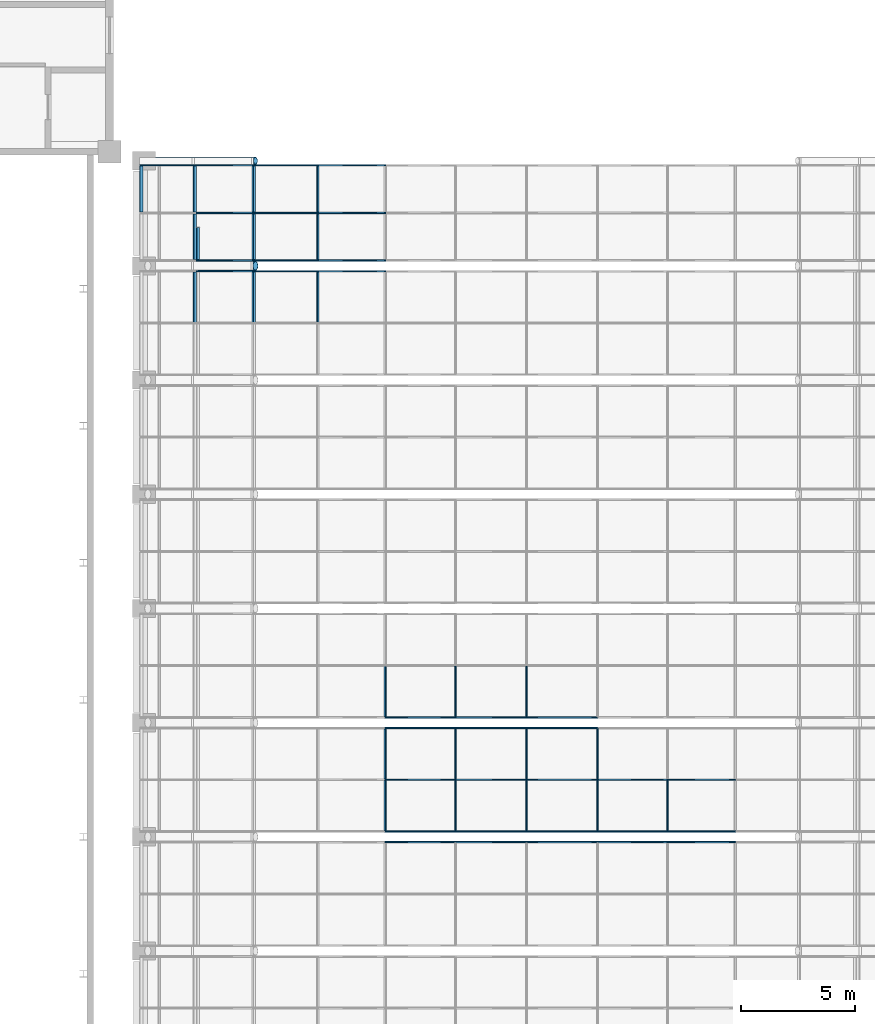
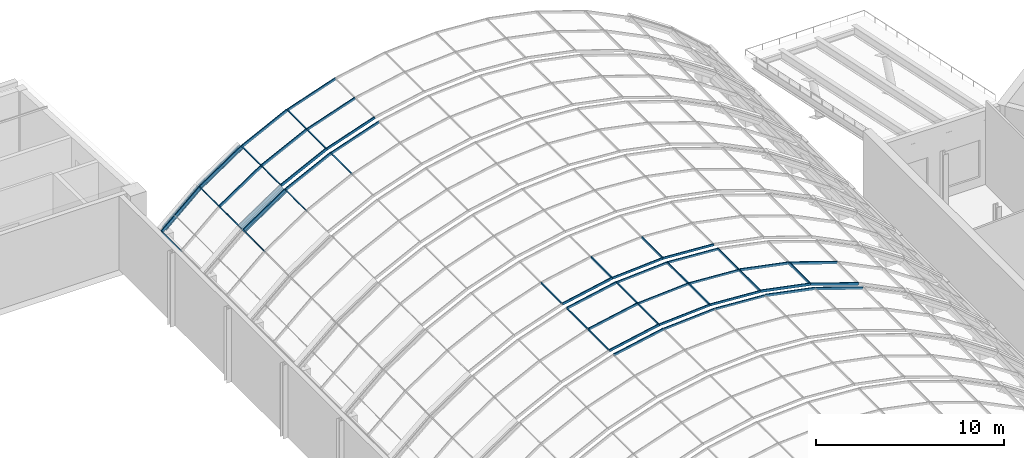
# One storey, part 80 of 182: 60 members, 5 elements without a shape of their own.
"""IFC4 building model written with IfcOpenShell, lengths in metres."""

import ifcopenshell
import ifcopenshell.guid

model = None  # the IFC model being written
_history = None  # IfcOwnerHistory: only IFC2X3 demands one
_inside = {}  # id of a spatial element -> (the spatial element, [elements in it])
_under = {}  # id of a project, library or spatial element -> (it, [spatial elements below it])
_declared = {}  # id of a project -> (the project, [libraries it declares])
_typed = {}  # id of a type object -> (the type object, [elements of that type])
_made_of = {}  # id of a material, layer set ... -> (it, [elements and type objects made of it])


def new_model(schema):
    """Start an empty IFC model of exactly this schema.

    Asked for "IFC4X3", IfcOpenShell would pick the latest addendum, in which some entities
    have other attributes; the version numbers below select the first issue.
    IFC2X3 requires an IfcOwnerHistory on every rooted entity: one is made here for all.
    """
    global model, _history
    if schema == "IFC4X3":
        model = ifcopenshell.file(schema_version=(4, 3, 0, 0))
    else:
        model = ifcopenshell.file(schema=schema)
    _inside.clear()
    _under.clear()
    _declared.clear()
    _typed.clear()
    _made_of.clear()
    _history = None
    if model.schema == "IFC2X3":
        org = make("IfcOrganization", Name="unknown")
        user = make(
            "IfcPersonAndOrganization",
            ThePerson=make("IfcPerson", FamilyName="unknown"),
            TheOrganization=org,
        )
        app = make(
            "IfcApplication",
            ApplicationDeveloper=org,
            Version="unknown",
            ApplicationFullName="unknown",
            ApplicationIdentifier="unknown",
        )
        _history = make(
            "IfcOwnerHistory",
            OwningUser=user,
            OwningApplication=app,
            ChangeAction="ADDED",
            CreationDate=0,
        )
    return model


def make(cls, **values):
    """One entity of the class cls with the attributes given. An attribute that is None is left unset."""
    return model.create_entity(
        cls, **{name: value for name, value in values.items() if value is not None}
    )


def rooted(cls, **values):
    """An entity with a GlobalId (a new one), such as an element, a storey or a relation."""
    return make(cls, GlobalId=ifcopenshell.guid.new(), OwnerHistory=_history, **values)


def si_unit(unit_type, name, prefix=None):
    """IfcSIUnit, for example si_unit("LENGTHUNIT", "METRE", prefix="MILLI")."""
    return make("IfcSIUnit", UnitType=unit_type, Prefix=prefix, Name=name)


def assignment(units):
    """IfcUnitAssignment: the units of a project."""
    return None if units is None else make("IfcUnitAssignment", Units=units)


def point(xyz):
    """IfcCartesianPoint."""
    return None if xyz is None else make("IfcCartesianPoint", Coordinates=xyz)


def direction(xyz):
    """IfcDirection."""
    return None if xyz is None else make("IfcDirection", DirectionRatios=xyz)


def frame(location, z_axis=None, x_axis=None):
    """IfcAxis2Placement3D, a coordinate frame: its origin and axes. An axis left out is left unset."""
    return make(
        "IfcAxis2Placement3D",
        Location=point(location),
        Axis=direction(z_axis),
        RefDirection=direction(x_axis),
    )


def frame_2d(location, x_axis=None):
    """IfcAxis2Placement2D, a coordinate frame in the plane: its origin and x axis."""
    return make(
        "IfcAxis2Placement2D", Location=point(location), RefDirection=direction(x_axis)
    )


def origin():
    """The frame at (0, 0, 0) with its axes left unset."""
    return frame((0.0, 0.0, 0.0))


def origin_2d():
    """The frame at (0, 0) in the plane with its x axis left unset."""
    return frame_2d((0.0, 0.0))


def place(relative_to, where):
    """IfcLocalPlacement: puts the frame where relative to a parent placement (None: the world)."""
    return make(
        "IfcLocalPlacement", PlacementRelTo=relative_to, RelativePlacement=where
    )


def context(
    kind, dimensions, precision=None, world=None, true_north=None, identifier=None
):
    """IfcGeometricRepresentationContext, for example the 3D "Model" context."""
    return make(
        "IfcGeometricRepresentationContext",
        ContextIdentifier=identifier,
        ContextType=kind,
        CoordinateSpaceDimension=dimensions,
        Precision=precision,
        WorldCoordinateSystem=world,
        TrueNorth=true_north,
    )


def subcontext(parent, identifier, kind, view, scale=None):
    """IfcGeometricRepresentationSubContext, for example "Body" below "Model"."""
    return make(
        "IfcGeometricRepresentationSubContext",
        ContextIdentifier=identifier,
        ContextType=kind,
        ParentContext=parent,
        TargetScale=scale,
        TargetView=view,
    )


def project(units=None, contexts=None):
    """IfcProject with its units and contexts."""
    return rooted(
        "IfcProject",
        Name="project",
        RepresentationContexts=contexts,
        UnitsInContext=assignment(units),
    )


def spatial(cls, under=None, at=None, **own):
    """A site, building, storey or space (cls), placed at a placement, below another one or the project."""
    s = rooted(cls, ObjectPlacement=at, **own)
    if under is not None:
        _under.setdefault(under.id(), (under, []))[1].append(s)
    return s


def profile(cls, at=None, kind="AREA", **sizes):
    """A parametric profile (cls). Its sizes go by their IFC names, for example OverallWidth=200.0."""
    return make(cls, ProfileType=kind, Position=at, **sizes)


def rectangle(**sizes):
    """IfcRectangleProfileDef."""
    return profile("IfcRectangleProfileDef", **sizes)


def hollow_rectangle(**sizes):
    """IfcRectangleHollowProfileDef."""
    return profile("IfcRectangleHollowProfileDef", **sizes)


def hollow_circle(**sizes):
    """IfcCircleHollowProfileDef."""
    return profile("IfcCircleHollowProfileDef", **sizes)


def extrude(swept, where, along, depth):
    """IfcExtrudedAreaSolid: the profile swept, set in the frame where, extruded along a direction by depth."""
    return make(
        "IfcExtrudedAreaSolid",
        SweptArea=swept,
        Position=where,
        ExtrudedDirection=direction(along),
        Depth=depth,
    )


def shape(context_of_items, identifier, shape_type, items):
    """IfcShapeRepresentation: the items that make up one representation, for example the "Body"."""
    return make(
        "IfcShapeRepresentation",
        ContextOfItems=context_of_items,
        RepresentationIdentifier=identifier,
        RepresentationType=shape_type,
        Items=items,
    )


def material(Name=None, Category=None):
    """IfcMaterial."""
    return make("IfcMaterial", Name=Name, Category=Category)


def material_profile(
    of_material, cross_section, Name=None, Category=None, Priority=None
):
    """IfcMaterialProfile: a cross section and its material."""
    return make(
        "IfcMaterialProfile",
        Name=Name,
        Material=of_material,
        Profile=cross_section,
        Priority=Priority,
        Category=Category,
    )


def profile_set(profiles, Name=None, composite=None):
    """IfcMaterialProfileSet."""
    return make(
        "IfcMaterialProfileSet",
        Name=Name,
        MaterialProfiles=profiles,
        CompositeProfile=composite,
    )


def made_of(thing, what):
    """Note that an element or type object is made of a material, layer set ...; save() writes the relation."""
    if what is not None:
        _made_of.setdefault(what.id(), (what, []))[1].append(thing)
    return thing


def type_object(cls, material=None, **own):
    """A type object (cls), such as IfcWallType, which elements share."""
    return made_of(rooted(cls, **own), material)


def element(
    cls,
    number,
    at=None,
    inside=None,
    cuts=None,
    type_object=None,
    material=None,
    context=None,
    identifier="Body",
    shape_type=None,
    held_by="IfcProductDefinitionShape",
    body=None,
    shapes=None,
    **own,
):
    """One element of the class cls, such as IfcWall. Its Tag is "e" and its number.

    at: its placement. inside: the storey or other place that contains it. cuts: it is an
    opening in that element (IfcRelVoidsElement). A single representation is given by context,
    identifier, shape_type and body (its items); several are given by shapes. held_by: the class
    of the entity that holds the representations. save() writes the other relations.
    """
    e = rooted(cls, Tag="e%d" % number, ObjectPlacement=at, **own)
    if body is not None:
        shapes = [shape(context, identifier, shape_type, body)]
    if shapes is not None:
        e.Representation = make(held_by, Representations=shapes)
    if inside is not None:
        _inside.setdefault(inside.id(), (inside, []))[1].append(e)
    if cuts is not None:
        rooted(
            "IfcRelVoidsElement", RelatingBuildingElement=cuts, RelatedOpeningElement=e
        )
    if type_object is not None:
        _typed.setdefault(type_object.id(), (type_object, []))[1].append(e)
    return made_of(e, material)


def aggregate(whole, parts):
    """IfcRelAggregates: a whole, such as a stair, and the parts it consists of."""
    return rooted("IfcRelAggregates", RelatingObject=whole, RelatedObjects=parts)


def save(model, path):
    """Write the relations noted so far, then the file.

    IfcRelAggregates (storeys below a building ...), IfcRelContainedInSpatialStructure (elements
    in a storey), IfcRelDefinesByType, IfcRelAssociatesMaterial and IfcRelDeclares: one each for
    every whole, place, type object, material and project.
    """
    for whole, parts in _under.values():
        aggregate(whole, parts)
    for where, things in _inside.values():
        rooted(
            "IfcRelContainedInSpatialStructure",
            RelatedElements=things,
            RelatingStructure=where,
        )
    for kind, things in _typed.values():
        rooted("IfcRelDefinesByType", RelatedObjects=things, RelatingType=kind)
    for what, things in _made_of.values():
        rooted("IfcRelAssociatesMaterial", RelatedObjects=things, RelatingMaterial=what)
    for by, libraries in _declared.values():
        rooted("IfcRelDeclares", RelatingContext=by, RelatedDefinitions=libraries)
    model.write(path)


model = new_model("IFC4")

# Units and contexts
model_context = context("Model", 3, precision=1e-05, world=origin(), true_north=direction((0.0, 1.0)))
body_context = subcontext(model_context, "Body", "Model", "MODEL_VIEW")
ifc_project = project(units=[si_unit("LENGTHUNIT", "METRE"), si_unit("AREAUNIT", "SQUARE_METRE"), si_unit("VOLUMEUNIT", "CUBIC_METRE"), si_unit("PLANEANGLEUNIT", "RADIAN"), si_unit("MASSUNIT", "GRAM", prefix="KILO")], contexts=[model_context])

# Site, building, storey
site_placement = place(None, origin())
site = spatial("IfcSite", under=ifc_project, at=site_placement, CompositionType="ELEMENT")
building_placement = place(site_placement, origin())
building = spatial("IfcBuilding", under=site, at=building_placement, Name="Okhra Congress Centre", CompositionType="ELEMENT")
storey_placement = place(building_placement, frame((0.0, 0.0, 7.199951171875)))
storey = spatial("IfcBuildingStorey", under=building, at=storey_placement, Name="L01", CompositionType="ELEMENT", Elevation=7.199951171875)

# Curtain wall, members
ifc_material_1 = material(Name="Aluminium frame with triple glazing", Category="aluminium")
curtain_wall_type = type_object("IfcCurtainWallType", Name="Glazed vault bay curtain wall", PredefinedType="NOTDEFINED", material=ifc_material_1)
curtain_wall_1_placement = place(storey_placement, origin())
curtain_wall_1 = element("IfcCurtainWall", 1, at=curtain_wall_1_placement, inside=storey, type_object=curtain_wall_type, Name="Vault glazing bay 22", PredefinedType="NOTDEFINED")
ifc_material_2 = material(Name="Aluminium alloy 6063", Category="aluminium")
ifc_material_profile_1 = material_profile(ifc_material_2, rectangle(XDim=0.06005859375, YDim=0.139892578125, at=origin_2d()), Name="AL 60x140")
ifc_profile_set_1 = profile_set([ifc_material_profile_1], Name="Aluminium alloy 6063")
member_type_1 = type_object("IfcMemberType", Name="Aluminium mullion 60x140", PredefinedType="MULLION", material=ifc_profile_set_1)
member_1_placement = place(storey_placement, frame((169.1337890625, 185.766845703125, 8.7392578125), z_axis=(0.997826129775, 0.0, 0.065901553385), x_axis=(0.0, 1.0, 0.0)))
member_1 = element("IfcMember", 2, at=member_1_placement, type_object=member_type_1, Name="Vault mullion 22.3.6", PredefinedType="MULLION", context=body_context, shape_type="SweptSolid", body=[
    extrude(rectangle(XDim=0.06005859375, YDim=0.139892578125, at=origin_2d()), origin(), (0.0, 0.0, 1.0), 3.123046875),
])
member_2_placement = place(storey_placement, frame((172.25, 185.766845703125, 8.945068359375), z_axis=(0.997826129775, 0.0, -0.065901553385), x_axis=(0.0, 1.0, 0.0)))
member_2 = element("IfcMember", 3, at=member_2_placement, type_object=member_type_1, Name="Vault mullion 22.3.7", PredefinedType="MULLION", context=body_context, shape_type="SweptSolid", body=[
    extrude(rectangle(XDim=0.06005859375, YDim=0.139892578125, at=origin_2d()), origin(), (0.0, 0.0, 1.0), 3.123046875),
])

curtain_wall_2_placement = place(storey_placement, origin())
curtain_wall_2 = element("IfcCurtainWall", 4, at=curtain_wall_2_placement, inside=storey, type_object=curtain_wall_type, Name="Vault glazing bay 23", PredefinedType="NOTDEFINED")
member_3_placement = place(storey_placement, frame((169.1337890625, 186.233154296875, 8.7392578125), z_axis=(0.997826129775, 0.0, 0.065901553385), x_axis=(0.0, 1.0, 0.0)))
member_3 = element("IfcMember", 5, at=member_3_placement, type_object=member_type_1, Name="Vault mullion 23.1.6", PredefinedType="MULLION", context=body_context, shape_type="SweptSolid", body=[
    extrude(rectangle(XDim=0.06005859375, YDim=0.139892578125, at=origin_2d()), origin(), (0.0, 0.0, 1.0), 3.123046875),
])
member_4_placement = place(storey_placement, frame((172.25, 186.233154296875, 8.945068359375), z_axis=(0.997826129775, 0.0, -0.065901553385), x_axis=(0.0, 1.0, 0.0)))
member_4 = element("IfcMember", 6, at=member_4_placement, type_object=member_type_1, Name="Vault mullion 23.1.7", PredefinedType="MULLION", context=body_context, shape_type="SweptSolid", body=[
    extrude(rectangle(XDim=0.06005859375, YDim=0.139892578125, at=origin_2d()), origin(), (0.0, 0.0, 1.0), 3.123046875),
])
member_5_placement = place(storey_placement, frame((169.1337890625, 188.5, 8.7392578125), z_axis=(0.997826129775, 0.0, 0.065901553385), x_axis=(0.0, 1.0, 0.0)))
member_5 = element("IfcMember", 7, at=member_5_placement, type_object=member_type_1, Name="Vault mullion 23.2.6", PredefinedType="MULLION", context=body_context, shape_type="SweptSolid", body=[
    extrude(rectangle(XDim=0.06005859375, YDim=0.139892578125, at=origin_2d()), origin(), (0.0, 0.0, 1.0), 3.123046875),
])
member_6_placement = place(storey_placement, frame((172.25, 188.5, 8.945068359375), z_axis=(0.997826129775, 0.0, -0.065901553385), x_axis=(0.0, 1.0, 0.0)))
member_6 = element("IfcMember", 8, at=member_6_placement, type_object=member_type_1, Name="Vault mullion 23.2.7", PredefinedType="MULLION", context=body_context, shape_type="SweptSolid", body=[
    extrude(rectangle(XDim=0.06005859375, YDim=0.139892578125, at=origin_2d()), origin(), (0.0, 0.0, 1.0), 3.123046875),
])
member_7_placement = place(storey_placement, frame((169.1337890625, 190.766845703125, 8.7392578125), z_axis=(0.997826129775, 0.0, 0.065901553385), x_axis=(0.0, 1.0, 0.0)))
member_7 = element("IfcMember", 9, at=member_7_placement, type_object=member_type_1, Name="Vault mullion 23.3.6", PredefinedType="MULLION", context=body_context, shape_type="SweptSolid", body=[
    extrude(rectangle(XDim=0.06005859375, YDim=0.139892578125, at=origin_2d()), origin(), (0.0, 0.0, 1.0), 3.123046875),
])
member_8_placement = place(storey_placement, frame((172.25, 190.766845703125, 8.945068359375), z_axis=(0.997826129775, 0.0, -0.065901553385), x_axis=(0.0, 1.0, 0.0)))
member_8 = element("IfcMember", 10, at=member_8_placement, type_object=member_type_1, Name="Vault mullion 23.3.7", PredefinedType="MULLION", context=body_context, shape_type="SweptSolid", body=[
    extrude(rectangle(XDim=0.06005859375, YDim=0.139892578125, at=origin_2d()), origin(), (0.0, 0.0, 1.0), 3.123046875),
])

curtain_wall_3_placement = place(storey_placement, origin())
curtain_wall_3 = element("IfcCurtainWall", 11, at=curtain_wall_3_placement, inside=storey, type_object=curtain_wall_type, Name="Vault glazing bay 24", PredefinedType="NOTDEFINED")
member_9_placement = place(storey_placement, frame((169.1337890625, 191.233154296875, 8.7392578125), z_axis=(0.997826129775, 0.0, 0.065901553385), x_axis=(0.0, 1.0, 0.0)))
member_9 = element("IfcMember", 12, at=member_9_placement, type_object=member_type_1, Name="Vault mullion 24.1.6", PredefinedType="MULLION", context=body_context, shape_type="SweptSolid", body=[
    extrude(rectangle(XDim=0.06005859375, YDim=0.139892578125, at=origin_2d()), origin(), (0.0, 0.0, 1.0), 3.123046875),
])
member_10_placement = place(storey_placement, frame((172.25, 191.233154296875, 8.945068359375), z_axis=(0.997826129775, 0.0, -0.065901553385), x_axis=(0.0, 1.0, 0.0)))
member_10 = element("IfcMember", 13, at=member_10_placement, type_object=member_type_1, Name="Vault mullion 24.1.7", PredefinedType="MULLION", context=body_context, shape_type="SweptSolid", body=[
    extrude(rectangle(XDim=0.06005859375, YDim=0.139892578125, at=origin_2d()), origin(), (0.0, 0.0, 1.0), 3.123046875),
])

# Member
ifc_material_profile_2 = material_profile(ifc_material_2, rectangle(XDim=0.06005859375, YDim=0.159912109375, at=origin_2d()), Name="AL 60x160")
ifc_profile_set_2 = profile_set([ifc_material_profile_2], Name="Aluminium alloy 6063")
member_type_2 = type_object("IfcMemberType", Name="Aluminium mullion 60x160", PredefinedType="MULLION", material=ifc_profile_set_2)
member_11_placement = place(storey_placement, frame((166.069091796875, 185.766845703125, 8.134765625), z_axis=(0.980484387086, 0.0, 0.196596965087), x_axis=(0.0, 1.0, 0.0)))
member_11 = element("IfcMember", 14, at=member_11_placement, type_object=member_type_2, Name="Vault mullion 22.3.5", PredefinedType="MULLION", context=body_context, shape_type="SweptSolid", body=[
    extrude(rectangle(XDim=0.06005859375, YDim=0.159912109375, at=origin_2d()), origin(), (0.0, 0.0, 1.0), 3.12451171875),
])

member_12_placement = place(storey_placement, frame((175.367431640625, 185.766845703125, 8.7490234375), z_axis=(0.980484387086, 0.0, -0.196596965087), x_axis=(0.0, 1.0, 0.0)))
member_12 = element("IfcMember", 15, at=member_12_placement, type_object=member_type_2, Name="Vault mullion 22.3.8", PredefinedType="MULLION", context=body_context, shape_type="SweptSolid", body=[
    extrude(rectangle(XDim=0.06005859375, YDim=0.159912109375, at=origin_2d()), origin(), (0.0, 0.0, 1.0), 3.12451171875),
])

member_13_placement = place(storey_placement, frame((178.430908203125, 185.766845703125, 8.134765625), z_axis=(0.946065064306, 0.0, -0.323976687587), x_axis=(0.0, 1.0, 0.0)))
member_13 = element("IfcMember", 16, at=member_13_placement, type_object=member_type_2, Name="Vault mullion 22.3.9", PredefinedType="MULLION", context=body_context, shape_type="SweptSolid", body=[
    extrude(rectangle(XDim=0.06005859375, YDim=0.159912109375, at=origin_2d()), origin(), (0.0, 0.0, 1.0), 3.124267578125),
])

aggregate(curtain_wall_1, [member_11, member_1, member_2, member_12, member_13])

member_14_placement = place(storey_placement, frame((166.069091796875, 186.233154296875, 8.134765625), z_axis=(0.980484387086, 0.0, 0.196596965087), x_axis=(0.0, 1.0, 0.0)))
member_14 = element("IfcMember", 17, at=member_14_placement, type_object=member_type_2, Name="Vault mullion 23.1.5", PredefinedType="MULLION", context=body_context, shape_type="SweptSolid", body=[
    extrude(rectangle(XDim=0.06005859375, YDim=0.159912109375, at=origin_2d()), origin(), (0.0, 0.0, 1.0), 3.12451171875),
])

member_15_placement = place(storey_placement, frame((175.367431640625, 186.233154296875, 8.7490234375), z_axis=(0.980484387086, 0.0, -0.196596965087), x_axis=(0.0, 1.0, 0.0)))
member_15 = element("IfcMember", 18, at=member_15_placement, type_object=member_type_2, Name="Vault mullion 23.1.8", PredefinedType="MULLION", context=body_context, shape_type="SweptSolid", body=[
    extrude(rectangle(XDim=0.06005859375, YDim=0.159912109375, at=origin_2d()), origin(), (0.0, 0.0, 1.0), 3.12451171875),
])

member_16_placement = place(storey_placement, frame((178.430908203125, 186.233154296875, 8.134765625), z_axis=(0.946065064306, 0.0, -0.323976687587), x_axis=(0.0, 1.0, 0.0)))
member_16 = element("IfcMember", 19, at=member_16_placement, type_object=member_type_2, Name="Vault mullion 23.1.9", PredefinedType="MULLION", context=body_context, shape_type="SweptSolid", body=[
    extrude(rectangle(XDim=0.06005859375, YDim=0.159912109375, at=origin_2d()), origin(), (0.0, 0.0, 1.0), 3.124267578125),
])

member_17_placement = place(storey_placement, frame((166.069091796875, 188.5, 8.134765625), z_axis=(0.980484387086, 0.0, 0.196596965087), x_axis=(0.0, 1.0, 0.0)))
member_17 = element("IfcMember", 20, at=member_17_placement, type_object=member_type_2, Name="Vault mullion 23.2.5", PredefinedType="MULLION", context=body_context, shape_type="SweptSolid", body=[
    extrude(rectangle(XDim=0.06005859375, YDim=0.159912109375, at=origin_2d()), origin(), (0.0, 0.0, 1.0), 3.12451171875),
])

member_18_placement = place(storey_placement, frame((175.367431640625, 188.5, 8.7490234375), z_axis=(0.980484387086, 0.0, -0.196596965087), x_axis=(0.0, 1.0, 0.0)))
member_18 = element("IfcMember", 21, at=member_18_placement, type_object=member_type_2, Name="Vault mullion 23.2.8", PredefinedType="MULLION", context=body_context, shape_type="SweptSolid", body=[
    extrude(rectangle(XDim=0.06005859375, YDim=0.159912109375, at=origin_2d()), origin(), (0.0, 0.0, 1.0), 3.12451171875),
])

member_19_placement = place(storey_placement, frame((178.430908203125, 188.5, 8.134765625), z_axis=(0.946065064306, 0.0, -0.323976687587), x_axis=(0.0, 1.0, 0.0)))
member_19 = element("IfcMember", 22, at=member_19_placement, type_object=member_type_2, Name="Vault mullion 23.2.9", PredefinedType="MULLION", context=body_context, shape_type="SweptSolid", body=[
    extrude(rectangle(XDim=0.06005859375, YDim=0.159912109375, at=origin_2d()), origin(), (0.0, 0.0, 1.0), 3.124267578125),
])

member_20_placement = place(storey_placement, frame((166.069091796875, 190.766845703125, 8.134765625), z_axis=(0.980484387086, 0.0, 0.196596965087), x_axis=(0.0, 1.0, 0.0)))
member_20 = element("IfcMember", 23, at=member_20_placement, type_object=member_type_2, Name="Vault mullion 23.3.5", PredefinedType="MULLION", context=body_context, shape_type="SweptSolid", body=[
    extrude(rectangle(XDim=0.06005859375, YDim=0.159912109375, at=origin_2d()), origin(), (0.0, 0.0, 1.0), 3.12451171875),
])

member_21_placement = place(storey_placement, frame((166.069091796875, 191.233154296875, 8.134765625), z_axis=(0.980484387086, 0.0, 0.196596965087), x_axis=(0.0, 1.0, 0.0)))
member_21 = element("IfcMember", 24, at=member_21_placement, type_object=member_type_2, Name="Vault mullion 24.1.5", PredefinedType="MULLION", context=body_context, shape_type="SweptSolid", body=[
    extrude(rectangle(XDim=0.06005859375, YDim=0.159912109375, at=origin_2d()), origin(), (0.0, 0.0, 1.0), 3.12451171875),
])

# Curtain wall, member
curtain_wall_4_placement = place(storey_placement, origin())
curtain_wall_4 = element("IfcCurtainWall", 25, at=curtain_wall_4_placement, inside=storey, type_object=curtain_wall_type, Name="Vault glazing bay 27", PredefinedType="NOTDEFINED")
member_22_placement = place(storey_placement, frame((163.11328125, 210.766845703125, 7.12255859375), z_axis=(0.946065064306, 0.0, 0.323976687587), x_axis=(0.0, 1.0, 0.0)))
member_22 = element("IfcMember", 26, at=member_22_placement, type_object=member_type_2, Name="Vault mullion 27.3.4", PredefinedType="MULLION", context=body_context, shape_type="SweptSolid", body=[
    extrude(rectangle(XDim=0.06005859375, YDim=0.159912109375, at=origin_2d()), origin(), (0.0, 0.0, 1.0), 3.124267578125),
])

# Curtain wall, members
curtain_wall_5_placement = place(storey_placement, origin())
curtain_wall_5 = element("IfcCurtainWall", 27, at=curtain_wall_5_placement, inside=storey, type_object=curtain_wall_type, Name="Vault glazing bay 28", PredefinedType="NOTDEFINED")
member_23_placement = place(storey_placement, frame((163.11328125, 211.233154296875, 7.12255859375), z_axis=(0.946065064306, 0.0, 0.323976687587), x_axis=(0.0, 1.0, 0.0)))
member_23 = element("IfcMember", 28, at=member_23_placement, type_object=member_type_2, Name="Vault mullion 28.1.4", PredefinedType="MULLION", context=body_context, shape_type="SweptSolid", body=[
    extrude(rectangle(XDim=0.06005859375, YDim=0.159912109375, at=origin_2d()), origin(), (0.0, 0.0, 1.0), 3.124267578125),
])
member_24_placement = place(storey_placement, frame((163.11328125, 213.320556640625, 7.12255859375), z_axis=(0.946065064306, 0.0, 0.323976687587), x_axis=(0.0, 1.0, 0.0)))
member_24 = element("IfcMember", 29, at=member_24_placement, type_object=member_type_2, Name="Vault mullion 28.2.4", PredefinedType="MULLION", context=body_context, shape_type="SweptSolid", body=[
    extrude(rectangle(XDim=0.06005859375, YDim=0.159912109375, at=origin_2d()), origin(), (0.0, 0.0, 1.0), 3.124267578125),
])
member_25_placement = place(storey_placement, frame((163.11328125, 215.407958984375, 7.12255859375), z_axis=(0.946065064306, 0.0, 0.323976687587), x_axis=(0.0, 1.0, 0.0)))
member_25 = element("IfcMember", 30, at=member_25_placement, type_object=member_type_2, Name="Vault mullion 28.3.4", PredefinedType="MULLION", context=body_context, shape_type="SweptSolid", body=[
    extrude(rectangle(XDim=0.06005859375, YDim=0.159912109375, at=origin_2d()), origin(), (0.0, 0.0, 1.0), 3.124267578125),
])

# Member
ifc_material_profile_3 = material_profile(ifc_material_2, rectangle(XDim=0.06005859375, YDim=0.179931640625, at=origin_2d()), Name="AL 60x180")
ifc_profile_set_3 = profile_set([ifc_material_profile_3], Name="Aluminium alloy 6063")
member_type_3 = type_object("IfcMemberType", Name="Aluminium mullion 60x180", PredefinedType="MULLION", material=ifc_profile_set_3)
member_26_placement = place(storey_placement, frame((157.720703125, 210.766845703125, 3.990478515625), z_axis=(0.828827846338, 0.0, 0.559503709671), x_axis=(0.0, 1.0, 0.0)))
member_26 = element("IfcMember", 31, at=member_26_placement, type_object=member_type_3, Name="Vault mullion 27.3.2", PredefinedType="MULLION", context=body_context, shape_type="SweptSolid", body=[
    extrude(rectangle(XDim=0.06005859375, YDim=0.179931640625, at=origin_2d()), origin(), (0.0, 0.0, 1.0), 3.12548828125),
])

member_27_placement = place(storey_placement, frame((160.311279296875, 210.766845703125, 5.7392578125), z_axis=(0.895253656313, 0.0, 0.445556832354), x_axis=(0.0, 1.0, 0.0)))
member_27 = element("IfcMember", 32, at=member_27_placement, type_object=member_type_3, Name="Vault mullion 27.3.3", PredefinedType="MULLION", context=body_context, shape_type="SweptSolid", body=[
    extrude(rectangle(XDim=0.06005859375, YDim=0.179931640625, at=origin_2d()), origin(), (0.0, 0.0, 1.0), 3.12548828125),
])

member_28_placement = place(storey_placement, frame((157.720703125, 211.233154296875, 3.990478515625), z_axis=(0.828827846338, 0.0, 0.559503709671), x_axis=(0.0, 1.0, 0.0)))
member_28 = element("IfcMember", 33, at=member_28_placement, type_object=member_type_3, Name="Vault mullion 28.1.2", PredefinedType="MULLION", context=body_context, shape_type="SweptSolid", body=[
    extrude(rectangle(XDim=0.06005859375, YDim=0.179931640625, at=origin_2d()), origin(), (0.0, 0.0, 1.0), 3.12548828125),
])

member_29_placement = place(storey_placement, frame((160.311279296875, 211.233154296875, 5.7392578125), z_axis=(0.895253656313, 0.0, 0.445556832354), x_axis=(0.0, 1.0, 0.0)))
member_29 = element("IfcMember", 34, at=member_29_placement, type_object=member_type_3, Name="Vault mullion 28.1.3", PredefinedType="MULLION", context=body_context, shape_type="SweptSolid", body=[
    extrude(rectangle(XDim=0.06005859375, YDim=0.179931640625, at=origin_2d()), origin(), (0.0, 0.0, 1.0), 3.12548828125),
])

member_30_placement = place(storey_placement, frame((157.720703125, 213.320556640625, 3.990478515625), z_axis=(0.828827846338, 0.0, 0.559503709671), x_axis=(0.0, 1.0, 0.0)))
member_30 = element("IfcMember", 35, at=member_30_placement, type_object=member_type_3, Name="Vault mullion 28.2.2", PredefinedType="MULLION", context=body_context, shape_type="SweptSolid", body=[
    extrude(rectangle(XDim=0.06005859375, YDim=0.179931640625, at=origin_2d()), origin(), (0.0, 0.0, 1.0), 3.12548828125),
])

member_31_placement = place(storey_placement, frame((160.311279296875, 213.320556640625, 5.7392578125), z_axis=(0.895253656313, 0.0, 0.445556832354), x_axis=(0.0, 1.0, 0.0)))
member_31 = element("IfcMember", 36, at=member_31_placement, type_object=member_type_3, Name="Vault mullion 28.2.3", PredefinedType="MULLION", context=body_context, shape_type="SweptSolid", body=[
    extrude(rectangle(XDim=0.06005859375, YDim=0.179931640625, at=origin_2d()), origin(), (0.0, 0.0, 1.0), 3.12548828125),
])

member_32_placement = place(storey_placement, frame((155.382568359375, 215.407958984375, 1.916015625), z_axis=(0.748025229923, 0.0, 0.663670291183), x_axis=(0.0, 1.0, 0.0)))
member_32 = element("IfcMember", 37, at=member_32_placement, type_object=member_type_3, Name="Vault mullion 28.3.1", PredefinedType="MULLION", context=body_context, shape_type="SweptSolid", body=[
    extrude(rectangle(XDim=0.06005859375, YDim=0.179931640625, at=origin_2d()), origin(), (0.0, 0.0, 1.0), 3.125732421875),
])

member_33_placement = place(storey_placement, frame((157.720703125, 215.407958984375, 3.990478515625), z_axis=(0.828827846338, 0.0, 0.559503709671), x_axis=(0.0, 1.0, 0.0)))
member_33 = element("IfcMember", 38, at=member_33_placement, type_object=member_type_3, Name="Vault mullion 28.3.2", PredefinedType="MULLION", context=body_context, shape_type="SweptSolid", body=[
    extrude(rectangle(XDim=0.06005859375, YDim=0.179931640625, at=origin_2d()), origin(), (0.0, 0.0, 1.0), 3.12548828125),
])

member_34_placement = place(storey_placement, frame((160.311279296875, 215.407958984375, 5.7392578125), z_axis=(0.895253656313, 0.0, 0.445556832354), x_axis=(0.0, 1.0, 0.0)))
member_34 = element("IfcMember", 39, at=member_34_placement, type_object=member_type_3, Name="Vault mullion 28.3.3", PredefinedType="MULLION", context=body_context, shape_type="SweptSolid", body=[
    extrude(rectangle(XDim=0.06005859375, YDim=0.179931640625, at=origin_2d()), origin(), (0.0, 0.0, 1.0), 3.12548828125),
])

ifc_material_profile_4 = material_profile(ifc_material_2, rectangle(XDim=0.06005859375, YDim=0.139892578125, at=origin_2d()), Name="AL 60x140 transom")
ifc_profile_set_4 = profile_set([ifc_material_profile_4], Name="Aluminium alloy 6063")
member_type_4 = type_object("IfcMemberType", Name="Aluminium transom 60x140", PredefinedType="USERDEFINED", material=ifc_profile_set_4)
member_35_placement = place(storey_placement, frame((169.1337890625, 186.26318359375, 8.7392578125), z_axis=(0.0, 1.0, 0.0), x_axis=(-0.991307202734, 0.0, -0.131567586459)))
member_35 = element("IfcMember", 40, at=member_35_placement, type_object=member_type_4, Name="Vault transom 23.1.6", ObjectType="TRANSOM", PredefinedType="USERDEFINED", context=body_context, shape_type="SweptSolid", body=[
    extrude(rectangle(XDim=0.06005859375, YDim=0.139892578125, at=origin_2d()), origin(), (0.0, 0.0, 1.0), 2.206787109375),
])

member_36_placement = place(storey_placement, frame((172.25, 186.26318359375, 8.945068359375), z_axis=(0.0, 1.0, 0.0), x_axis=(-1.0, 0.0, 0.0)))
member_36 = element("IfcMember", 41, at=member_36_placement, type_object=member_type_4, Name="Vault transom 23.1.7", ObjectType="TRANSOM", PredefinedType="USERDEFINED", context=body_context, shape_type="SweptSolid", body=[
    extrude(rectangle(XDim=0.06005859375, YDim=0.139892578125, at=origin_2d()), origin(), (0.0, 0.0, 1.0), 2.206787109375),
])

member_37_placement = place(storey_placement, frame((175.3662109375, 186.26318359375, 8.7392578125), z_axis=(0.0, 1.0, 0.0), x_axis=(-0.991307202734, 0.0, 0.131567586459)))
member_37 = element("IfcMember", 42, at=member_37_placement, type_object=member_type_4, Name="Vault transom 23.1.8", ObjectType="TRANSOM", PredefinedType="USERDEFINED", context=body_context, shape_type="SweptSolid", body=[
    extrude(rectangle(XDim=0.06005859375, YDim=0.139892578125, at=origin_2d()), origin(), (0.0, 0.0, 1.0), 2.206787109375),
])

member_38_placement = place(storey_placement, frame((169.1337890625, 188.530029296875, 8.7392578125), z_axis=(0.0, 1.0, 0.0), x_axis=(-0.991307202734, 0.0, -0.131567586459)))
member_38 = element("IfcMember", 43, at=member_38_placement, type_object=member_type_4, Name="Vault transom 23.2.6", ObjectType="TRANSOM", PredefinedType="USERDEFINED", context=body_context, shape_type="SweptSolid", body=[
    extrude(rectangle(XDim=0.06005859375, YDim=0.139892578125, at=origin_2d()), origin(), (0.0, 0.0, 1.0), 2.206787109375),
])

member_39_placement = place(storey_placement, frame((172.25, 188.530029296875, 8.945068359375), z_axis=(0.0, 1.0, 0.0), x_axis=(-1.0, 0.0, 0.0)))
member_39 = element("IfcMember", 44, at=member_39_placement, type_object=member_type_4, Name="Vault transom 23.2.7", ObjectType="TRANSOM", PredefinedType="USERDEFINED", context=body_context, shape_type="SweptSolid", body=[
    extrude(rectangle(XDim=0.06005859375, YDim=0.139892578125, at=origin_2d()), origin(), (0.0, 0.0, 1.0), 2.206787109375),
])

member_40_placement = place(storey_placement, frame((175.3662109375, 188.530029296875, 8.7392578125), z_axis=(0.0, 1.0, 0.0), x_axis=(-0.991307202734, 0.0, 0.131567586459)))
member_40 = element("IfcMember", 45, at=member_40_placement, type_object=member_type_4, Name="Vault transom 23.2.8", ObjectType="TRANSOM", PredefinedType="USERDEFINED", context=body_context, shape_type="SweptSolid", body=[
    extrude(rectangle(XDim=0.06005859375, YDim=0.139892578125, at=origin_2d()), origin(), (0.0, 0.0, 1.0), 2.206787109375),
])

member_41_placement = place(storey_placement, frame((169.1337890625, 191.26318359375, 8.7392578125), z_axis=(0.0, 1.0, 0.0), x_axis=(-0.991307202734, 0.0, -0.131567586459)))
member_41 = element("IfcMember", 46, at=member_41_placement, type_object=member_type_4, Name="Vault transom 24.1.6", ObjectType="TRANSOM", PredefinedType="USERDEFINED", context=body_context, shape_type="SweptSolid", body=[
    extrude(rectangle(XDim=0.06005859375, YDim=0.139892578125, at=origin_2d()), origin(), (0.0, 0.0, 1.0), 2.206787109375),
])

member_42_placement = place(storey_placement, frame((172.25, 191.26318359375, 8.945068359375), z_axis=(0.0, 1.0, 0.0), x_axis=(-1.0, 0.0, 0.0)))
member_42 = element("IfcMember", 47, at=member_42_placement, type_object=member_type_4, Name="Vault transom 24.1.7", ObjectType="TRANSOM", PredefinedType="USERDEFINED", context=body_context, shape_type="SweptSolid", body=[
    extrude(rectangle(XDim=0.06005859375, YDim=0.139892578125, at=origin_2d()), origin(), (0.0, 0.0, 1.0), 2.206787109375),
])

ifc_material_profile_5 = material_profile(ifc_material_2, rectangle(XDim=0.06005859375, YDim=0.159912109375, at=origin_2d()), Name="AL 60x160 transom")
ifc_profile_set_5 = profile_set([ifc_material_profile_5], Name="Aluminium alloy 6063")
member_type_5 = type_object("IfcMemberType", Name="Aluminium transom 60x160", PredefinedType="USERDEFINED", material=ifc_profile_set_5)
member_43_placement = place(storey_placement, frame((166.069091796875, 186.26318359375, 8.134765625), z_axis=(0.0, 1.0, 0.0), x_axis=(-0.965379940391, 0.0, -0.260847792191)))
member_43 = element("IfcMember", 48, at=member_43_placement, type_object=member_type_5, Name="Vault transom 23.1.5", ObjectType="TRANSOM", PredefinedType="USERDEFINED", context=body_context, shape_type="SweptSolid", body=[
    extrude(rectangle(XDim=0.06005859375, YDim=0.159912109375, at=origin_2d()), origin(), (0.0, 0.0, 1.0), 2.206787109375),
])

member_44_placement = place(storey_placement, frame((178.430908203125, 186.26318359375, 8.134765625), z_axis=(0.0, 1.0, 0.0), x_axis=(-0.965379940391, 0.0, 0.260847792191)))
member_44 = element("IfcMember", 49, at=member_44_placement, type_object=member_type_5, Name="Vault transom 23.1.9", ObjectType="TRANSOM", PredefinedType="USERDEFINED", context=body_context, shape_type="SweptSolid", body=[
    extrude(rectangle(XDim=0.06005859375, YDim=0.159912109375, at=origin_2d()), origin(), (0.0, 0.0, 1.0), 2.206787109375),
])

member_45_placement = place(storey_placement, frame((166.069091796875, 188.530029296875, 8.134765625), z_axis=(0.0, 1.0, 0.0), x_axis=(-0.965379940391, 0.0, -0.260847792191)))
member_45 = element("IfcMember", 50, at=member_45_placement, type_object=member_type_5, Name="Vault transom 23.2.5", ObjectType="TRANSOM", PredefinedType="USERDEFINED", context=body_context, shape_type="SweptSolid", body=[
    extrude(rectangle(XDim=0.06005859375, YDim=0.159912109375, at=origin_2d()), origin(), (0.0, 0.0, 1.0), 2.206787109375),
])

aggregate(curtain_wall_2, [member_14, member_3, member_4, member_15, member_16, member_17, member_5, member_6, member_18, member_19, member_20, member_7, member_8, member_43, member_35, member_36, member_37, member_44, member_45, member_38, member_39, member_40])

member_46_placement = place(storey_placement, frame((166.069091796875, 191.26318359375, 8.134765625), z_axis=(0.0, 1.0, 0.0), x_axis=(-0.965379940391, 0.0, -0.260847792191)))
member_46 = element("IfcMember", 51, at=member_46_placement, type_object=member_type_5, Name="Vault transom 24.1.5", ObjectType="TRANSOM", PredefinedType="USERDEFINED", context=body_context, shape_type="SweptSolid", body=[
    extrude(rectangle(XDim=0.06005859375, YDim=0.159912109375, at=origin_2d()), origin(), (0.0, 0.0, 1.0), 2.206787109375),
])

aggregate(curtain_wall_3, [member_21, member_9, member_10, member_46, member_41, member_42])

member_47_placement = place(storey_placement, frame((163.11328125, 208.530029296875, 7.12255859375), z_axis=(0.0, 1.0, 0.0), x_axis=(-0.922668973833, 0.0, -0.38559300399)))
member_47 = element("IfcMember", 52, at=member_47_placement, type_object=member_type_5, Name="Vault transom 27.2.4", ObjectType="TRANSOM", PredefinedType="USERDEFINED", context=body_context, shape_type="SweptSolid", body=[
    extrude(rectangle(XDim=0.06005859375, YDim=0.159912109375, at=origin_2d()), origin(), (0.0, 0.0, 1.0), 2.206787109375),
])

member_48_placement = place(storey_placement, frame((163.11328125, 211.26318359375, 7.12255859375), z_axis=(0.0, 1.0, 0.0), x_axis=(-0.922668973833, 0.0, -0.38559300399)))
member_48 = element("IfcMember", 53, at=member_48_placement, type_object=member_type_5, Name="Vault transom 28.1.4", ObjectType="TRANSOM", PredefinedType="USERDEFINED", context=body_context, shape_type="SweptSolid", body=[
    extrude(rectangle(XDim=0.06005859375, YDim=0.159912109375, at=origin_2d()), origin(), (0.0, 0.0, 1.0), 2.02734375),
])

member_49_placement = place(storey_placement, frame((163.11328125, 213.3505859375, 7.12255859375), z_axis=(0.0, 1.0, 0.0), x_axis=(-0.922668973833, 0.0, -0.38559300399)))
member_49 = element("IfcMember", 54, at=member_49_placement, type_object=member_type_5, Name="Vault transom 28.2.4", ObjectType="TRANSOM", PredefinedType="USERDEFINED", context=body_context, shape_type="SweptSolid", body=[
    extrude(rectangle(XDim=0.06005859375, YDim=0.159912109375, at=origin_2d()), origin(), (0.0, 0.0, 1.0), 2.02734375),
])

ifc_material_profile_6 = material_profile(ifc_material_2, rectangle(XDim=0.06005859375, YDim=0.179931640625, at=origin_2d()), Name="AL 60x180 transom")
ifc_profile_set_6 = profile_set([ifc_material_profile_6], Name="Aluminium alloy 6063")
member_type_6 = type_object("IfcMemberType", Name="Aluminium transom 60x180", PredefinedType="USERDEFINED", material=ifc_profile_set_6)
member_50_placement = place(storey_placement, frame((157.720703125, 208.530029296875, 3.990478515625), z_axis=(0.0, 1.0, 0.0), x_axis=(-0.790145035185, 0.0, -0.612919915954)))
member_50 = element("IfcMember", 55, at=member_50_placement, type_object=member_type_6, Name="Vault transom 27.2.2", ObjectType="TRANSOM", PredefinedType="USERDEFINED", context=body_context, shape_type="SweptSolid", body=[
    extrude(rectangle(XDim=0.06005859375, YDim=0.179931640625, at=origin_2d()), origin(), (0.0, 0.0, 1.0), 2.206787109375),
])

member_51_placement = place(storey_placement, frame((160.311279296875, 208.530029296875, 5.7392578125), z_axis=(0.0, 1.0, 0.0), x_axis=(-0.86391685861, 0.0, -0.503634452167)))
member_51 = element("IfcMember", 56, at=member_51_placement, type_object=member_type_6, Name="Vault transom 27.2.3", ObjectType="TRANSOM", PredefinedType="USERDEFINED", context=body_context, shape_type="SweptSolid", body=[
    extrude(rectangle(XDim=0.06005859375, YDim=0.179931640625, at=origin_2d()), origin(), (0.0, 0.0, 1.0), 2.206787109375),
])

aggregate(curtain_wall_4, [member_26, member_27, member_22, member_50, member_51, member_47])

member_52_placement = place(storey_placement, frame((157.720703125, 211.26318359375, 3.990478515625), z_axis=(0.0, 1.0, 0.0), x_axis=(-0.790145035185, 0.0, -0.612919915954)))
member_52 = element("IfcMember", 57, at=member_52_placement, type_object=member_type_6, Name="Vault transom 28.1.2", ObjectType="TRANSOM", PredefinedType="USERDEFINED", context=body_context, shape_type="SweptSolid", body=[
    extrude(rectangle(XDim=0.06005859375, YDim=0.179931640625, at=origin_2d()), origin(), (0.0, 0.0, 1.0), 2.02734375),
])

member_53_placement = place(storey_placement, frame((160.311279296875, 211.26318359375, 5.7392578125), z_axis=(0.0, 1.0, 0.0), x_axis=(-0.86391685861, 0.0, -0.503634452167)))
member_53 = element("IfcMember", 58, at=member_53_placement, type_object=member_type_6, Name="Vault transom 28.1.3", ObjectType="TRANSOM", PredefinedType="USERDEFINED", context=body_context, shape_type="SweptSolid", body=[
    extrude(rectangle(XDim=0.06005859375, YDim=0.179931640625, at=origin_2d()), origin(), (0.0, 0.0, 1.0), 2.02734375),
])

member_54_placement = place(storey_placement, frame((155.382568359375, 213.3505859375, 1.916015625), z_axis=(0.0, 1.0, 0.0), x_axis=(-0.702636070549, 0.0, -0.711549402616)))
member_54 = element("IfcMember", 59, at=member_54_placement, type_object=member_type_6, Name="Vault transom 28.2.1", ObjectType="TRANSOM", PredefinedType="USERDEFINED", context=body_context, shape_type="SweptSolid", body=[
    extrude(rectangle(XDim=0.06005859375, YDim=0.179931640625, at=origin_2d()), origin(), (0.0, 0.0, 1.0), 2.02734375),
])

member_55_placement = place(storey_placement, frame((157.720703125, 213.3505859375, 3.990478515625), z_axis=(0.0, 1.0, 0.0), x_axis=(-0.790145035185, 0.0, -0.612919915954)))
member_55 = element("IfcMember", 60, at=member_55_placement, type_object=member_type_6, Name="Vault transom 28.2.2", ObjectType="TRANSOM", PredefinedType="USERDEFINED", context=body_context, shape_type="SweptSolid", body=[
    extrude(rectangle(XDim=0.06005859375, YDim=0.179931640625, at=origin_2d()), origin(), (0.0, 0.0, 1.0), 2.02734375),
])

member_56_placement = place(storey_placement, frame((160.311279296875, 213.3505859375, 5.7392578125), z_axis=(0.0, 1.0, 0.0), x_axis=(-0.86391685861, 0.0, -0.503634452167)))
member_56 = element("IfcMember", 61, at=member_56_placement, type_object=member_type_6, Name="Vault transom 28.2.3", ObjectType="TRANSOM", PredefinedType="USERDEFINED", context=body_context, shape_type="SweptSolid", body=[
    extrude(rectangle(XDim=0.06005859375, YDim=0.179931640625, at=origin_2d()), origin(), (0.0, 0.0, 1.0), 2.02734375),
])

aggregate(curtain_wall_5, [member_28, member_29, member_23, member_30, member_31, member_24, member_32, member_33, member_34, member_25, member_52, member_53, member_48, member_54, member_55, member_56, member_49])

# Members
ifc_material_3 = material(Name="Steel S355J2", Category="steel")
ifc_material_profile_7 = material_profile(ifc_material_3, hollow_rectangle(XDim=0.10009765625, YDim=0.199951171875, WallThickness=0.008056640625, at=origin_2d()), Name="RHS 200x100x8")
ifc_profile_set_7 = profile_set([ifc_material_profile_7], Name="Steel S355J2")
member_type_7 = type_object("IfcMemberType", Name="Steel purlin RHS 200x100x8", PredefinedType="PURLIN", material=ifc_profile_set_7)
member_57_placement = place(storey_placement, frame((157.837158203125, 211.203125, 3.84033203125), z_axis=(0.0, 1.0, 0.0), x_axis=(-0.790145035185, 0.0, -0.612919915954)))
element("IfcMember", 62, at=member_57_placement, inside=storey, type_object=member_type_7, Name="Vault purlin 28.1", PredefinedType="PURLIN", context=body_context, shape_type="SweptSolid", body=[
    extrude(hollow_rectangle(XDim=0.10009765625, YDim=0.199951171875, WallThickness=0.008056640625, at=origin_2d()), origin(), (0.0, 0.0, 1.0), 1.479736328125),
])
ifc_material_profile_8 = material_profile(ifc_material_3, hollow_circle(Radius=0.203125, WallThickness=0.01611328125, at=origin_2d()), Name="CHS 406.4x16")
ifc_profile_set_8 = profile_set([ifc_material_profile_8], Name="Steel S355J2")
member_type_8 = type_object("IfcMemberType", Name="Tubular steel arch rib CHS 406x16", PredefinedType="USERDEFINED", material=ifc_profile_set_8)
member_58_placement = place(storey_placement, frame((157.8330078125, 211.0, 3.86767578125), z_axis=(0.82882567543, 0.0, 0.559506925558), x_axis=(0.0, 1.0, 0.0)))
element("IfcMember", 63, at=member_58_placement, inside=storey, type_object=member_type_8, Name="Arch rib 28.2", ObjectType="Arch rib", PredefinedType="USERDEFINED", context=body_context, shape_type="SweptSolid", body=[
    extrude(hollow_circle(Radius=0.203125, WallThickness=0.01611328125, at=origin_2d()), origin(), (0.0, 0.0, 1.0), 3.07666015625),
])
ifc_material_profile_9 = material_profile(ifc_material_3, hollow_circle(Radius=0.161865234375, WallThickness=0.012451171875, at=origin_2d()), Name="CHS 323.9x12.5")
ifc_profile_set_9 = profile_set([ifc_material_profile_9], Name="Steel S355J2")
member_type_9 = type_object("IfcMemberType", Name="Tubular steel gable arch CHS 324x12.5", PredefinedType="USERDEFINED", material=ifc_profile_set_9)
member_59_placement = place(storey_placement, frame((155.636474609375, 215.60009765625, 1.921142578125), z_axis=(0.748038369614, 0.0, 0.663655481093), x_axis=(0.0, 1.0, 0.0)))
element("IfcMember", 64, at=member_59_placement, inside=storey, type_object=member_type_9, Name="Arch rib 29.1", ObjectType="Arch rib", PredefinedType="USERDEFINED", context=body_context, shape_type="SweptSolid", body=[
    extrude(hollow_circle(Radius=0.161865234375, WallThickness=0.012451171875, at=origin_2d()), origin(), (0.0, 0.0, 1.0), 2.91064453125),
])
member_60_placement = place(storey_placement, frame((157.830810546875, 215.60009765625, 3.865966796875), z_axis=(0.82881928924, 0.0, 0.559516385626), x_axis=(0.0, 1.0, 0.0)))
element("IfcMember", 65, at=member_60_placement, inside=storey, type_object=member_type_9, Name="Arch rib 29.2", ObjectType="Arch rib", PredefinedType="USERDEFINED", context=body_context, shape_type="SweptSolid", body=[
    extrude(hollow_circle(Radius=0.161865234375, WallThickness=0.012451171875, at=origin_2d()), origin(), (0.0, 0.0, 1.0), 3.082275390625),
])

save(model, "model.ifc")
